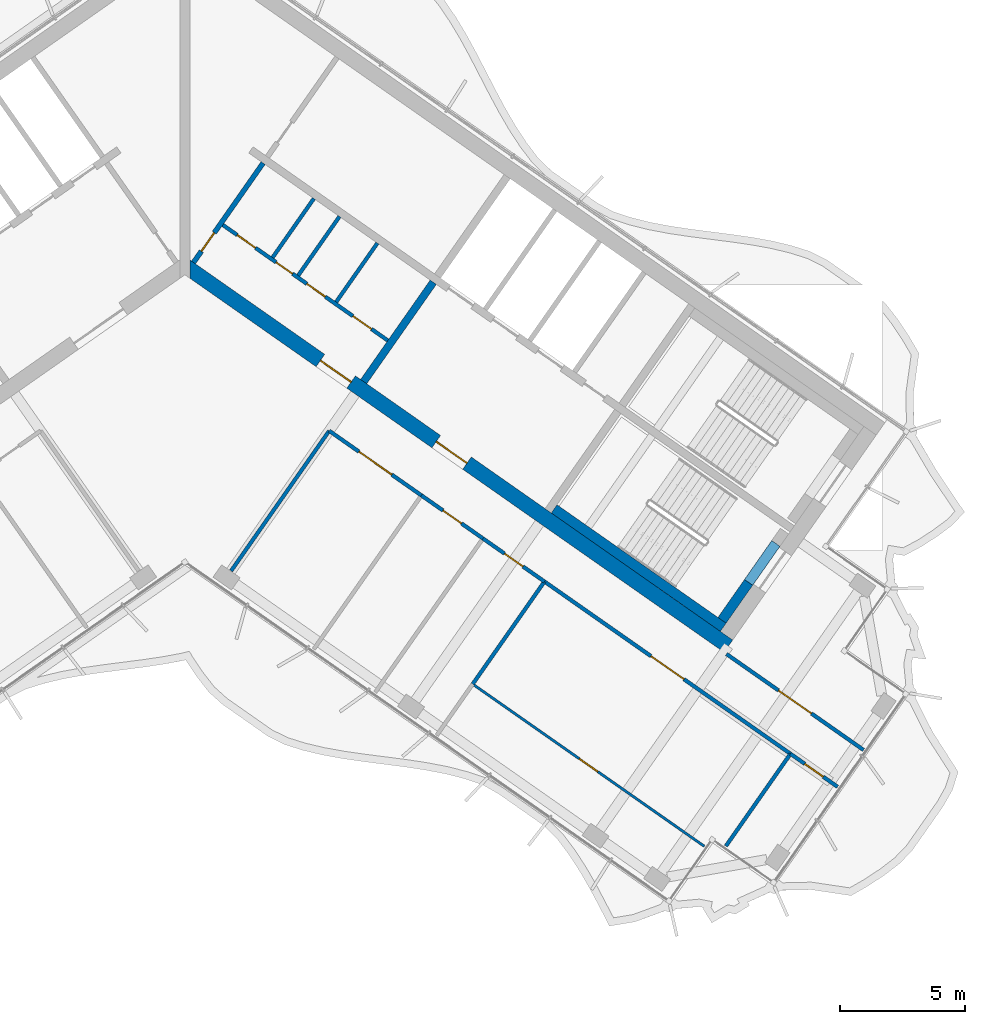
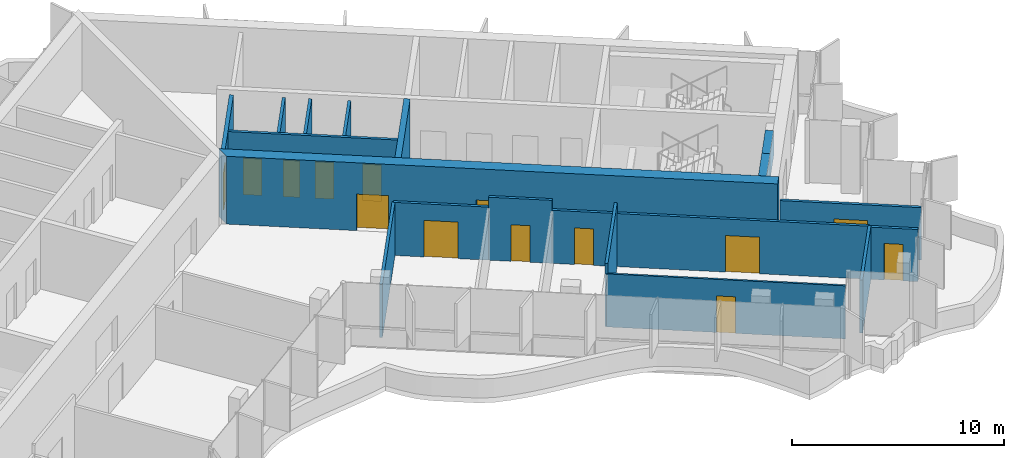
# One storey, part 10 of 17: 20 walls, 14 doors, 14 openings.
"""IFC4 building model written with IfcOpenShell, lengths in metres."""

import ifcopenshell
import ifcopenshell.guid

model = None  # the IFC model being written
_history = None  # IfcOwnerHistory: only IFC2X3 demands one
_inside = {}  # id of a spatial element -> (the spatial element, [elements in it])
_under = {}  # id of a project, library or spatial element -> (it, [spatial elements below it])
_declared = {}  # id of a project -> (the project, [libraries it declares])
_typed = {}  # id of a type object -> (the type object, [elements of that type])
_made_of = {}  # id of a material, layer set ... -> (it, [elements and type objects made of it])


def new_model(schema):
    """Start an empty IFC model of exactly this schema.

    Asked for "IFC4X3", IfcOpenShell would pick the latest addendum, in which some entities
    have other attributes; the version numbers below select the first issue.
    IFC2X3 requires an IfcOwnerHistory on every rooted entity: one is made here for all.
    """
    global model, _history
    if schema == "IFC4X3":
        model = ifcopenshell.file(schema_version=(4, 3, 0, 0))
    else:
        model = ifcopenshell.file(schema=schema)
    _inside.clear()
    _under.clear()
    _declared.clear()
    _typed.clear()
    _made_of.clear()
    _history = None
    if model.schema == "IFC2X3":
        org = make("IfcOrganization", Name="unknown")
        user = make(
            "IfcPersonAndOrganization",
            ThePerson=make("IfcPerson", FamilyName="unknown"),
            TheOrganization=org,
        )
        app = make(
            "IfcApplication",
            ApplicationDeveloper=org,
            Version="unknown",
            ApplicationFullName="unknown",
            ApplicationIdentifier="unknown",
        )
        _history = make(
            "IfcOwnerHistory",
            OwningUser=user,
            OwningApplication=app,
            ChangeAction="ADDED",
            CreationDate=0,
        )
    return model


def make(cls, **values):
    """One entity of the class cls with the attributes given. An attribute that is None is left unset."""
    return model.create_entity(
        cls, **{name: value for name, value in values.items() if value is not None}
    )


def rooted(cls, **values):
    """An entity with a GlobalId (a new one), such as an element, a storey or a relation."""
    return make(cls, GlobalId=ifcopenshell.guid.new(), OwnerHistory=_history, **values)


def si_unit(unit_type, name, prefix=None):
    """IfcSIUnit, for example si_unit("LENGTHUNIT", "METRE", prefix="MILLI")."""
    return make("IfcSIUnit", UnitType=unit_type, Prefix=prefix, Name=name)


def assignment(units):
    """IfcUnitAssignment: the units of a project."""
    return None if units is None else make("IfcUnitAssignment", Units=units)


def point(xyz):
    """IfcCartesianPoint."""
    return None if xyz is None else make("IfcCartesianPoint", Coordinates=xyz)


def direction(xyz):
    """IfcDirection."""
    return None if xyz is None else make("IfcDirection", DirectionRatios=xyz)


def frame(location, z_axis=None, x_axis=None):
    """IfcAxis2Placement3D, a coordinate frame: its origin and axes. An axis left out is left unset."""
    return make(
        "IfcAxis2Placement3D",
        Location=point(location),
        Axis=direction(z_axis),
        RefDirection=direction(x_axis),
    )


def frame_2d(location, x_axis=None):
    """IfcAxis2Placement2D, a coordinate frame in the plane: its origin and x axis."""
    return make(
        "IfcAxis2Placement2D", Location=point(location), RefDirection=direction(x_axis)
    )


def origin():
    """The frame at (0, 0, 0) with its axes left unset."""
    return frame((0.0, 0.0, 0.0))


def place(relative_to, where):
    """IfcLocalPlacement: puts the frame where relative to a parent placement (None: the world)."""
    return make(
        "IfcLocalPlacement", PlacementRelTo=relative_to, RelativePlacement=where
    )


def context(
    kind, dimensions, precision=None, world=None, true_north=None, identifier=None
):
    """IfcGeometricRepresentationContext, for example the 3D "Model" context."""
    return make(
        "IfcGeometricRepresentationContext",
        ContextIdentifier=identifier,
        ContextType=kind,
        CoordinateSpaceDimension=dimensions,
        Precision=precision,
        WorldCoordinateSystem=world,
        TrueNorth=true_north,
    )


def subcontext(parent, identifier, kind, view, scale=None):
    """IfcGeometricRepresentationSubContext, for example "Body" below "Model"."""
    return make(
        "IfcGeometricRepresentationSubContext",
        ContextIdentifier=identifier,
        ContextType=kind,
        ParentContext=parent,
        TargetScale=scale,
        TargetView=view,
    )


def project(units=None, contexts=None):
    """IfcProject with its units and contexts."""
    return rooted(
        "IfcProject",
        Name="project",
        RepresentationContexts=contexts,
        UnitsInContext=assignment(units),
    )


def spatial(cls, under=None, at=None, **own):
    """A site, building, storey or space (cls), placed at a placement, below another one or the project."""
    s = rooted(cls, ObjectPlacement=at, **own)
    if under is not None:
        _under.setdefault(under.id(), (under, []))[1].append(s)
    return s


def polyline(points):
    """IfcPolyline through the points."""
    return make("IfcPolyline", Points=[point(p) for p in points])


def profile(cls, at=None, kind="AREA", **sizes):
    """A parametric profile (cls). Its sizes go by their IFC names, for example OverallWidth=200.0."""
    return make(cls, ProfileType=kind, Position=at, **sizes)


def rectangle(**sizes):
    """IfcRectangleProfileDef."""
    return profile("IfcRectangleProfileDef", **sizes)


def outline(outer, holes=None, kind="AREA"):
    """IfcArbitraryClosedProfileDef: a profile drawn as a closed curve; with holes, ...WithVoids."""
    if holes is None:
        return make("IfcArbitraryClosedProfileDef", ProfileType=kind, OuterCurve=outer)
    return make(
        "IfcArbitraryProfileDefWithVoids",
        ProfileType=kind,
        OuterCurve=outer,
        InnerCurves=holes,
    )


def extrude(swept, where, along, depth):
    """IfcExtrudedAreaSolid: the profile swept, set in the frame where, extruded along a direction by depth."""
    return make(
        "IfcExtrudedAreaSolid",
        SweptArea=swept,
        Position=where,
        ExtrudedDirection=direction(along),
        Depth=depth,
    )


def shape(context_of_items, identifier, shape_type, items):
    """IfcShapeRepresentation: the items that make up one representation, for example the "Body"."""
    return make(
        "IfcShapeRepresentation",
        ContextOfItems=context_of_items,
        RepresentationIdentifier=identifier,
        RepresentationType=shape_type,
        Items=items,
    )


def material(Name=None, Category=None):
    """IfcMaterial."""
    return make("IfcMaterial", Name=Name, Category=Category)


def layer(
    of_material, thickness, ventilated=None, Name=None, Category=None, Priority=None
):
    """IfcMaterialLayer: one layer of a wall or slab, of a material (None: an air gap)."""
    return make(
        "IfcMaterialLayer",
        Material=of_material,
        LayerThickness=thickness,
        IsVentilated=ventilated,
        Name=Name,
        Category=Category,
        Priority=Priority,
    )


def layer_set(layers, Name=None):
    """IfcMaterialLayerSet."""
    return make("IfcMaterialLayerSet", MaterialLayers=layers, LayerSetName=Name)


def made_of(thing, what):
    """Note that an element or type object is made of a material, layer set ...; save() writes the relation."""
    if what is not None:
        _made_of.setdefault(what.id(), (what, []))[1].append(thing)
    return thing


def type_object(cls, material=None, **own):
    """A type object (cls), such as IfcWallType, which elements share."""
    return made_of(rooted(cls, **own), material)


def element(
    cls,
    number,
    at=None,
    inside=None,
    cuts=None,
    type_object=None,
    material=None,
    context=None,
    identifier="Body",
    shape_type=None,
    held_by="IfcProductDefinitionShape",
    body=None,
    shapes=None,
    **own,
):
    """One element of the class cls, such as IfcWall. Its Tag is "e" and its number.

    at: its placement. inside: the storey or other place that contains it. cuts: it is an
    opening in that element (IfcRelVoidsElement). A single representation is given by context,
    identifier, shape_type and body (its items); several are given by shapes. held_by: the class
    of the entity that holds the representations. save() writes the other relations.
    """
    e = rooted(cls, Tag="e%d" % number, ObjectPlacement=at, **own)
    if body is not None:
        shapes = [shape(context, identifier, shape_type, body)]
    if shapes is not None:
        e.Representation = make(held_by, Representations=shapes)
    if inside is not None:
        _inside.setdefault(inside.id(), (inside, []))[1].append(e)
    if cuts is not None:
        rooted(
            "IfcRelVoidsElement", RelatingBuildingElement=cuts, RelatedOpeningElement=e
        )
    if type_object is not None:
        _typed.setdefault(type_object.id(), (type_object, []))[1].append(e)
    return made_of(e, material)


def fill(opening, filler):
    """IfcRelFillsElement: the door or window that sits in an opening."""
    return rooted(
        "IfcRelFillsElement",
        RelatingOpeningElement=opening,
        RelatedBuildingElement=filler,
    )


def aggregate(whole, parts):
    """IfcRelAggregates: a whole, such as a stair, and the parts it consists of."""
    return rooted("IfcRelAggregates", RelatingObject=whole, RelatedObjects=parts)


def save(model, path):
    """Write the relations noted so far, then the file.

    IfcRelAggregates (storeys below a building ...), IfcRelContainedInSpatialStructure (elements
    in a storey), IfcRelDefinesByType, IfcRelAssociatesMaterial and IfcRelDeclares: one each for
    every whole, place, type object, material and project.
    """
    for whole, parts in _under.values():
        aggregate(whole, parts)
    for where, things in _inside.values():
        rooted(
            "IfcRelContainedInSpatialStructure",
            RelatedElements=things,
            RelatingStructure=where,
        )
    for kind, things in _typed.values():
        rooted("IfcRelDefinesByType", RelatedObjects=things, RelatingType=kind)
    for what, things in _made_of.values():
        rooted("IfcRelAssociatesMaterial", RelatedObjects=things, RelatingMaterial=what)
    for by, libraries in _declared.values():
        rooted("IfcRelDeclares", RelatingContext=by, RelatedDefinitions=libraries)
    model.write(path)


model = new_model("IFC4")

# Units and contexts
model_context = context("Model", 3, precision=1e-05, world=origin(), true_north=direction((0.0, 1.0)))
body_context = subcontext(model_context, "Body", "Model", "MODEL_VIEW")
ifc_project = project(units=[si_unit("LENGTHUNIT", "METRE"), si_unit("AREAUNIT", "SQUARE_METRE"), si_unit("VOLUMEUNIT", "CUBIC_METRE"), si_unit("PLANEANGLEUNIT", "RADIAN"), si_unit("MASSUNIT", "GRAM", prefix="KILO")], contexts=[model_context])

# Site, building, storey
site_placement = place(None, origin())
site = spatial("IfcSite", under=ifc_project, at=site_placement, CompositionType="ELEMENT")
building_placement = place(site_placement, origin())
building = spatial("IfcBuilding", under=site, at=building_placement, Name="Tel Ilan Convention Tower", CompositionType="ELEMENT")
storey_placement = place(building_placement, frame((0.0, 0.0, 280.0)))
storey = spatial("IfcBuildingStorey", under=building, at=storey_placement, Name="L66", CompositionType="ELEMENT", Elevation=280.0)

# Wall, openings, doors
ifc_material_1 = material(Name="Gypsum Plasterboard on Steel Stud", Category="steel")
ifc_layer_1 = layer(ifc_material_1, 0.14990234375)
ifc_layer_set_1 = layer_set([ifc_layer_1], Name="Core Room Partition Wall 150 mm EI 60")
wall_type_1 = type_object("IfcWallType", Name="Core Room Partition Wall 150 mm EI 60", PredefinedType="PARTITIONING", material=ifc_layer_set_1)
wall_1_placement = place(storey_placement, frame((1.515625, 0.77001953125, 0.0), z_axis=(0.0, 0.0, 1.0), x_axis=(0.819146424436, -0.573584462249, 0.0)))
wall_1 = element("IfcWall", 1, at=wall_1_placement, inside=storey, type_object=wall_type_1, Name="L66 core wall wc-h1", PredefinedType="PARTITIONING", context=body_context, shape_type="SweptSolid", body=[
    extrude(rectangle(XDim=8.050048828125, YDim=0.14990234375, at=frame_2d((4.02490234375, 0.0))), origin(), (0.0, 0.0, 1.0), 3.6201171875),
])
opening_1_placement = place(wall_1_placement, frame((0.699951171875, 0.0, 0.0)))
opening_1 = element("IfcOpeningElement", 2, at=opening_1_placement, cuts=wall_1, Name="Opening CD5013", PredefinedType="OPENING", context=body_context, shape_type="SweptSolid", body=[
    extrude(rectangle(XDim=0.89990234375, YDim=2.10009765625, at=frame_2d((0.449951171875, 1.050048828125))), frame((0.0, 0.0849609375, 0.0), z_axis=(0.0, -1.0, 0.0), x_axis=(1.0, 0.0, 0.0)), (0.0, 0.0, 1.0), 0.169921875),
])
opening_2_placement = place(wall_1_placement, frame((2.60009765625, 0.0, 0.0)))
opening_2 = element("IfcOpeningElement", 3, at=opening_2_placement, cuts=wall_1, Name="Opening CD5012", PredefinedType="OPENING", context=body_context, shape_type="SweptSolid", body=[
    extrude(rectangle(XDim=0.800048828125, YDim=2.10009765625, at=frame_2d((0.39990234375, 1.050048828125))), frame((0.0, 0.0849609375, 0.0), z_axis=(0.0, -1.0, 0.0), x_axis=(1.0, 0.0, 0.0)), (0.0, 0.0, 1.0), 0.169921875),
])
opening_3_placement = place(wall_1_placement, frame((4.10009765625, 0.0, 0.0)))
opening_3 = element("IfcOpeningElement", 4, at=opening_3_placement, cuts=wall_1, Name="Opening CD5011", PredefinedType="OPENING", context=body_context, shape_type="SweptSolid", body=[
    extrude(rectangle(XDim=0.89990234375, YDim=2.10009765625, at=frame_2d((0.449951171875, 1.050048828125))), frame((0.0, 0.0849609375, 0.0), z_axis=(0.0, -1.0, 0.0), x_axis=(1.0, 0.0, 0.0)), (0.0, 0.0, 1.0), 0.169921875),
])
opening_4_placement = place(wall_1_placement, frame((6.35009765625, 0.0, 0.0)))
opening_4 = element("IfcOpeningElement", 5, at=opening_4_placement, cuts=wall_1, Name="Opening CD5014", PredefinedType="OPENING", context=body_context, shape_type="SweptSolid", body=[
    extrude(rectangle(XDim=0.89990234375, YDim=2.10009765625, at=frame_2d((0.449951171875, 1.050048828125))), frame((0.0, 0.0849609375, 0.0), z_axis=(0.0, -1.0, 0.0), x_axis=(1.0, 0.0, 0.0)), (0.0, 0.0, 1.0), 0.169921875),
])
ifc_material_2 = material(Name="Galvanised Steel Door Leaf", Category="steel")
door_type_1 = type_object("IfcDoorType", Name="Store Door 800 x 2100 FD60", OperationType="NOTDEFINED", PredefinedType="DOOR", material=ifc_material_2)
door_1_placement = place(opening_2_placement, origin())
door_1 = element("IfcDoor", 6, at=door_1_placement, inside=storey, type_object=door_type_1, Name="Cleaner's store door", OperationType="SINGLE_SWING_RIGHT", OverallHeight=2.10009765625, OverallWidth=0.800048828125, PredefinedType="DOOR", context=body_context, shape_type="SweptSolid", body=[
    extrude(rectangle(XDim=0.800048828125, YDim=2.10009765625, at=frame_2d((0.39990234375, 1.050048828125))), frame((0.0, 0.02490234375, 0.0), z_axis=(0.0, -1.0, 0.0), x_axis=(1.0, 0.0, 0.0)), (0.0, 0.0, 1.0), 0.050048828125),
])
fill(opening_2, door_1)
ifc_material_3 = material(Name="Laminated Timber Door Leaf", Category="wood")
door_type_2 = type_object("IfcDoorType", Name="Toilet Door 900 x 2100 FD30S", OperationType="NOTDEFINED", PredefinedType="DOOR", material=ifc_material_3)
door_2_placement = place(opening_1_placement, origin())
door_2 = element("IfcDoor", 7, at=door_2_placement, inside=storey, type_object=door_type_2, Name="Men's WC door", OperationType="SINGLE_SWING_RIGHT", OverallHeight=2.10009765625, OverallWidth=0.89990234375, PredefinedType="DOOR", context=body_context, shape_type="SweptSolid", body=[
    extrude(rectangle(XDim=0.89990234375, YDim=2.10009765625, at=frame_2d((0.449951171875, 1.050048828125))), frame((0.0, 0.02490234375, 0.0), z_axis=(0.0, -1.0, 0.0), x_axis=(1.0, 0.0, 0.0)), (0.0, 0.0, 1.0), 0.050048828125),
])
fill(opening_1, door_2)
door_3_placement = place(opening_3_placement, origin())
door_3 = element("IfcDoor", 8, at=door_3_placement, inside=storey, type_object=door_type_2, Name="Accessible WC door", OperationType="SINGLE_SWING_RIGHT", OverallHeight=2.10009765625, OverallWidth=0.89990234375, PredefinedType="DOOR", context=body_context, shape_type="SweptSolid", body=[
    extrude(rectangle(XDim=0.89990234375, YDim=2.10009765625, at=frame_2d((0.449951171875, 1.050048828125))), frame((0.0, 0.02490234375, 0.0), z_axis=(0.0, -1.0, 0.0), x_axis=(1.0, 0.0, 0.0)), (0.0, 0.0, 1.0), 0.050048828125),
])
fill(opening_3, door_3)
door_4_placement = place(opening_4_placement, origin())
door_4 = element("IfcDoor", 9, at=door_4_placement, inside=storey, type_object=door_type_2, Name="Women's WC door", OperationType="SINGLE_SWING_RIGHT", OverallHeight=2.10009765625, OverallWidth=0.89990234375, PredefinedType="DOOR", context=body_context, shape_type="SweptSolid", body=[
    extrude(rectangle(XDim=0.89990234375, YDim=2.10009765625, at=frame_2d((0.449951171875, 1.050048828125))), frame((0.0, 0.02490234375, 0.0), z_axis=(0.0, -1.0, 0.0), x_axis=(1.0, 0.0, 0.0)), (0.0, 0.0, 1.0), 0.050048828125),
])
fill(opening_4, door_4)

# Walls
wall_2_placement = place(storey_placement, frame((3.504150390625, -0.531005859375, 0.0), z_axis=(0.0, 0.0, 1.0), x_axis=(0.573582013179, 0.819148139324, 0.0)))
element("IfcWall", 10, at=wall_2_placement, inside=storey, type_object=wall_type_1, Name="L66 core wall wc-v0", PredefinedType="PARTITIONING", context=body_context, shape_type="SweptSolid", body=[
    extrude(rectangle(XDim=2.875244140625, YDim=0.14990234375, at=frame_2d((1.4375, 0.0))), origin(), (0.0, 0.0, 1.0), 3.6201171875),
])
wall_3_placement = place(storey_placement, frame((4.528076171875, -1.247802734375, 0.0), z_axis=(0.0, 0.0, 1.0), x_axis=(0.573621911162, 0.819120200602, 0.0)))
element("IfcWall", 11, at=wall_3_placement, inside=storey, type_object=wall_type_1, Name="L66 core wall wc-v1", PredefinedType="PARTITIONING", context=body_context, shape_type="SweptSolid", body=[
    extrude(rectangle(XDim=2.875, YDim=0.14990234375, at=frame_2d((1.4375, 0.0))), origin(), (0.0, 0.0, 1.0), 3.6201171875),
])
wall_4_placement = place(storey_placement, frame((6.043701171875, -2.30908203125, 0.0), z_axis=(0.0, 0.0, 1.0), x_axis=(0.573564930514, 0.819160100642, 0.0)))
element("IfcWall", 12, at=wall_4_placement, inside=storey, type_object=wall_type_1, Name="L66 core wall wc-v2", PredefinedType="PARTITIONING", context=body_context, shape_type="SweptSolid", body=[
    extrude(rectangle(XDim=2.874755859375, YDim=0.14990234375, at=frame_2d((1.4375, 0.0))), origin(), (0.0, 0.0, 1.0), 3.6201171875),
])

# Wall, opening, door
ifc_material_4 = material(Name="Concrete C30/37", Category="concrete")
ifc_layer_2 = layer(ifc_material_4, 0.199951171875)
ifc_layer_set_2 = layer_set([ifc_layer_2], Name="Core Service Room Wall 200 mm C30/37")
wall_type_2 = type_object("IfcWallType", Name="Core Service Room Wall 200 mm C30/37", PredefinedType="SOLIDWALL", material=ifc_layer_set_2)
wall_5_placement = place(storey_placement, frame((0.343994140625, -0.729248046875, 0.0), z_axis=(0.0, 0.0, 1.0), x_axis=(0.573560315113, 0.819163332265, 0.0)))
wall_5 = element("IfcWall", 13, at=wall_5_placement, inside=storey, type_object=wall_type_2, Name="L66 core wall apex-E", PredefinedType="SOLIDWALL", context=body_context, shape_type="SweptSolid", body=[
    extrude(rectangle(XDim=4.849853515625, YDim=0.199951171875, at=frame_2d((2.4248046875, 0.0))), origin(), (0.0, 0.0, 1.0), 3.6201171875),
])
opening_5_placement = place(wall_5_placement, frame((0.550048828125, 0.0, 0.0)))
opening_5 = element("IfcOpeningElement", 14, at=opening_5_placement, cuts=wall_5, Name="Opening CD5001", PredefinedType="OPENING", context=body_context, shape_type="SweptSolid", body=[
    extrude(rectangle(XDim=0.89990234375, YDim=2.10009765625, at=frame_2d((0.449951171875, 1.050048828125))), frame((0.0, 0.10986328125, 0.0), z_axis=(0.0, -1.0, 0.0), x_axis=(1.0, 0.0, 0.0)), (0.0, 0.0, 1.0), 0.219970703125),
])
ifc_material_5 = material(Name="Galvanised Steel Door Leaf", Category="steel")
door_type_3 = type_object("IfcDoorType", Name="Service Room Door 900 x 2100 FD60", OperationType="NOTDEFINED", PredefinedType="DOOR", material=ifc_material_5)
door_5_placement = place(opening_5_placement, origin())
door_5 = element("IfcDoor", 15, at=door_5_placement, inside=storey, type_object=door_type_3, Name="Electrical Room door", OperationType="SINGLE_SWING_RIGHT", OverallHeight=2.10009765625, OverallWidth=0.89990234375, PredefinedType="DOOR", context=body_context, shape_type="SweptSolid", body=[
    extrude(rectangle(XDim=0.89990234375, YDim=2.10009765625, at=frame_2d((0.449951171875, 1.050048828125))), frame((0.0, 0.02490234375, 0.0), z_axis=(0.0, -1.0, 0.0), x_axis=(1.0, 0.0, 0.0)), (0.0, 0.0, 1.0), 0.050048828125),
])
fill(opening_5, door_5)

# Wall
ifc_material_6 = material(Name="Concrete C40/50", Category="concrete")
ifc_layer_3 = layer(ifc_material_6, 0.300048828125)
ifc_layer_set_3 = layer_set([ifc_layer_3], Name="Core Shear Wall 300 mm C40/50")
wall_type_3 = type_object("IfcWallType", Name="Core Shear Wall 300 mm C40/50", PredefinedType="SHEAR", material=ifc_layer_set_3)
wall_6_placement = place(storey_placement, frame((7.142822265625, -5.48974609375, 0.0), z_axis=(0.0, 0.0, 1.0), x_axis=(0.573617744349, 0.819123118565, 0.0)))
element("IfcWall", 16, at=wall_6_placement, inside=storey, type_object=wall_type_3, Name="L66 core wall E-cross1-1", PredefinedType="SHEAR", context=body_context, shape_type="SweptSolid", body=[
    extrude(outline(polyline([(0.0, 0.14990234375), (0.0, -0.150146484375), (4.85009765625, -0.14990234375), (4.85009765625, 0.150146484375), (0.0, 0.14990234375)])), origin(), (0.0, 0.0, 1.0), 3.89990234375),
])

# Wall, openings, doors
ifc_material_7 = material(Name="Concrete C40/50", Category="concrete")
ifc_layer_4 = layer(ifc_material_7, 0.60009765625)
ifc_layer_set_4 = layer_set([ifc_layer_4], Name="Core Shear Wall 600 mm C40/50")
wall_type_4 = type_object("IfcWallType", Name="Core Shear Wall 600 mm C40/50", PredefinedType="SHEAR", material=ifc_layer_set_4)
wall_7_placement = place(storey_placement, frame((0.02783203125, -0.8740234375, 0.0), z_axis=(0.0, 0.0, 1.0), x_axis=(0.819150035022, -0.573579305871, 0.0)))
wall_7 = element("IfcWall", 17, at=wall_7_placement, inside=storey, type_object=wall_type_4, Name="L66 core wall E-front", PredefinedType="SHEAR", context=body_context, shape_type="SweptSolid", body=[
    extrude(outline(polyline([(26.475830078125, 0.300048828125), (0.000244140625, 0.300048828125), (0.420166015625, -0.300048828125), (26.475830078125, -0.2998046875), (26.475830078125, 0.300048828125)])), origin(), (0.0, 0.0, 1.0), 3.89990234375),
])
opening_6_placement = place(wall_7_placement, frame((6.57568359375, 0.0, 0.0)))
opening_6 = element("IfcOpeningElement", 18, at=opening_6_placement, cuts=wall_7, Name="Opening CD5004", PredefinedType="OPENING", context=body_context, shape_type="SweptSolid", body=[
    extrude(rectangle(XDim=1.5, YDim=2.10009765625, at=frame_2d((0.75, 1.050048828125))), frame((0.0, 0.31005859375, 0.0), z_axis=(0.0, -1.0, 0.0), x_axis=(1.0, 0.0, 0.0)), (0.0, 0.0, 1.0), 0.6201171875),
])
opening_7_placement = place(wall_7_placement, frame((12.225830078125, 0.0, 0.0)))
opening_7 = element("IfcOpeningElement", 19, at=opening_7_placement, cuts=wall_7, Name="Opening CD5005", PredefinedType="OPENING", context=body_context, shape_type="SweptSolid", body=[
    extrude(rectangle(XDim=1.5, YDim=2.10009765625, at=frame_2d((0.75, 1.050048828125))), frame((0.0, 0.31005859375, 0.0), z_axis=(0.0, -1.0, 0.0), x_axis=(1.0, 0.0, 0.0)), (0.0, 0.0, 1.0), 0.6201171875),
])
ifc_material_8 = material(Name="Glazed Aluminium Door Leaf", Category="aluminium")
door_type_4 = type_object("IfcDoorType", Name="Lobby Opening Door 1500 x 2100 FD60S", OperationType="NOTDEFINED", PredefinedType="DOOR", material=ifc_material_8)
door_6_placement = place(opening_7_placement, origin())
door_6 = element("IfcDoor", 20, at=door_6_placement, inside=storey, type_object=door_type_4, Name="Firefighting Lobby door", OperationType="DOUBLE_DOOR_SINGLE_SWING", OverallHeight=2.10009765625, OverallWidth=1.5, PredefinedType="DOOR", context=body_context, shape_type="SweptSolid", body=[
    extrude(rectangle(XDim=1.5, YDim=2.10009765625, at=frame_2d((0.75, 1.050048828125))), frame((0.0, 0.02490234375, 0.0), z_axis=(0.0, -1.0, 0.0), x_axis=(1.0, 0.0, 0.0)), (0.0, 0.0, 1.0), 0.050048828125),
])
fill(opening_7, door_6)
ifc_material_9 = material(Name="Laminated Timber Door Leaf", Category="wood")
door_type_5 = type_object("IfcDoorType", Name="Toilet Door 1500 x 2100 FD30S", OperationType="NOTDEFINED", PredefinedType="DOOR", material=ifc_material_9)
door_7_placement = place(opening_6_placement, origin())
door_7 = element("IfcDoor", 21, at=door_7_placement, inside=storey, type_object=door_type_5, Name="WC Lobby door", OperationType="SINGLE_SWING_RIGHT", OverallHeight=2.10009765625, OverallWidth=1.5, PredefinedType="DOOR", context=body_context, shape_type="SweptSolid", body=[
    extrude(rectangle(XDim=1.5, YDim=2.10009765625, at=frame_2d((0.75, 1.050048828125))), frame((0.0, 0.02490234375, 0.0), z_axis=(0.0, -1.0, 0.0), x_axis=(1.0, 0.0, 0.0)), (0.0, 0.0, 1.0), 0.050048828125),
])
fill(opening_6, door_7)

# Wall, opening, door
ifc_material_10 = material(Name="Plasterboard on Steel Studs", Category="steel")
ifc_layer_5 = layer(ifc_material_10, 0.14990234375)
ifc_layer_set_5 = layer_set([ifc_layer_5], Name="Fire-rated Partition 150 EI 60")
wall_type_5 = type_object("IfcWallType", Name="Fire-rated Partition 150 EI 60", PredefinedType="PARTITIONING", material=ifc_layer_set_5)
wall_8_placement = place(storey_placement, frame((21.641845703125, -16.37451171875, 0.0), z_axis=(0.0, 0.0, 1.0), x_axis=(0.819147777977, -0.573582529227, 0.0)))
wall_8 = element("IfcWall", 22, at=wall_8_placement, inside=storey, type_object=wall_type_5, Name="Partition 001", PredefinedType="PARTITIONING", context=body_context, shape_type="SweptSolid", body=[
    extrude(rectangle(XDim=6.679931640625, YDim=0.14990234375, at=frame_2d((3.33984375, 0.0))), origin(), (0.0, 0.0, 1.0), 3.0),
])
opening_8_placement = place(wall_8_placement, frame((2.5400390625, 0.0, 0.0)))
opening_8 = element("IfcOpeningElement", 23, at=opening_8_placement, cuts=wall_8, Name="Opening L65-015", PredefinedType="OPENING", context=body_context, shape_type="SweptSolid", body=[
    extrude(rectangle(XDim=1.60009765625, YDim=2.10009765625, at=frame_2d((0.800048828125, 1.050048828125))), frame((0.0, 0.0849609375, 0.0), z_axis=(0.0, -1.0, 0.0), x_axis=(1.0, 0.0, 0.0)), (0.0, 0.0, 1.0), 0.169921875),
])
ifc_material_11 = material(Name="Timber Door Leaf in Steel Frame", Category="steel")
door_type_6 = type_object("IfcDoorType", Name="Tenant Suite Entrance Fire Door 1600x2100", OperationType="NOTDEFINED", PredefinedType="DOOR", material=ifc_material_11)
door_8_placement = place(opening_8_placement, origin())
door_8 = element("IfcDoor", 24, at=door_8_placement, inside=storey, type_object=door_type_6, Name="Door L65-015", OperationType="DOUBLE_DOOR_SINGLE_SWING", OverallHeight=2.10009765625, OverallWidth=1.60009765625, PredefinedType="DOOR", context=body_context, shape_type="SweptSolid", body=[
    extrude(rectangle(XDim=1.60009765625, YDim=2.10009765625, at=frame_2d((0.800048828125, 1.050048828125))), frame((0.0, 0.02490234375, 0.0), z_axis=(0.0, -1.0, 0.0), x_axis=(1.0, 0.0, 0.0)), (0.0, 0.0, 1.0), 0.050048828125),
])
fill(opening_8, door_8)

wall_9_placement = place(storey_placement, frame((9.4541015625, -10.0380859375, 0.0), z_axis=(0.0, 0.0, 1.0), x_axis=(-0.819142740634, 0.573589723117, 0.0)))
wall_9 = element("IfcWall", 25, at=wall_9_placement, inside=storey, type_object=wall_type_5, Name="Partition 002", PredefinedType="PARTITIONING", context=body_context, shape_type="SweptSolid", body=[
    extrude(rectangle(XDim=4.501953125, YDim=0.14990234375, at=frame_2d((2.2509765625, 0.0))), origin(), (0.0, 0.0, 1.0), 3.050048828125),
])
opening_9_placement = place(wall_9_placement, frame((1.450927734375, 0.0, 0.0)))
opening_9 = element("IfcOpeningElement", 26, at=opening_9_placement, cuts=wall_9, Name="Opening L65-009", PredefinedType="OPENING", context=body_context, shape_type="SweptSolid", body=[
    extrude(rectangle(XDim=1.60009765625, YDim=2.10009765625, at=frame_2d((0.800048828125, 1.050048828125))), frame((0.0, 0.0849609375, 0.0), z_axis=(0.0, -1.0, 0.0), x_axis=(1.0, 0.0, 0.0)), (0.0, 0.0, 1.0), 0.169921875),
])
door_9_placement = place(opening_9_placement, origin())
door_9 = element("IfcDoor", 27, at=door_9_placement, inside=storey, type_object=door_type_6, Name="Door L65-009", OperationType="DOUBLE_DOOR_SINGLE_SWING", OverallHeight=2.10009765625, OverallWidth=1.60009765625, PredefinedType="DOOR", context=body_context, shape_type="SweptSolid", body=[
    extrude(rectangle(XDim=1.60009765625, YDim=2.10009765625, at=frame_2d((0.800048828125, 1.050048828125))), frame((0.0, 0.02490234375, 0.0), z_axis=(0.0, -1.0, 0.0), x_axis=(1.0, 0.0, 0.0)), (0.0, 0.0, 1.0), 0.050048828125),
])
fill(opening_9, door_9)

wall_10_placement = place(storey_placement, frame((11.91162109375, -11.7587890625, 0.0), z_axis=(0.0, 0.0, 1.0), x_axis=(-0.81916700466, 0.573555070134, 0.0)))
wall_10 = element("IfcWall", 28, at=wall_10_placement, inside=storey, type_object=wall_type_5, Name="Partition 003", PredefinedType="PARTITIONING", context=body_context, shape_type="SweptSolid", body=[
    extrude(rectangle(XDim=3.00390625, YDim=0.14990234375, at=frame_2d((1.501953125, 0.0))), origin(), (0.0, 0.0, 1.0), 3.6201171875),
])
opening_10_placement = place(wall_10_placement, frame((1.052001953125, 0.0, 0.0)))
opening_10 = element("IfcOpeningElement", 29, at=opening_10_placement, cuts=wall_10, Name="Opening L65-010", PredefinedType="OPENING", context=body_context, shape_type="SweptSolid", body=[
    extrude(rectangle(XDim=0.89990234375, YDim=2.10009765625, at=frame_2d((0.449951171875, 1.050048828125))), frame((0.0, 0.0849609375, 0.0), z_axis=(0.0, -1.0, 0.0), x_axis=(1.0, 0.0, 0.0)), (0.0, 0.0, 1.0), 0.169921875),
])
ifc_material_12 = material(Name="Timber Door Leaf in Steel Frame", Category="steel")
door_type_7 = type_object("IfcDoorType", Name="Room Fire Door 900x2100", OperationType="NOTDEFINED", PredefinedType="DOOR", material=ifc_material_12)
door_10_placement = place(opening_10_placement, origin())
door_10 = element("IfcDoor", 30, at=door_10_placement, inside=storey, type_object=door_type_7, Name="Door L65-010", OperationType="SINGLE_SWING_LEFT", OverallHeight=2.10009765625, OverallWidth=0.89990234375, PredefinedType="DOOR", context=body_context, shape_type="SweptSolid", body=[
    extrude(rectangle(XDim=0.89990234375, YDim=2.10009765625, at=frame_2d((0.449951171875, 1.050048828125))), frame((0.0, 0.02490234375, 0.0), z_axis=(0.0, -1.0, 0.0), x_axis=(1.0, 0.0, 0.0)), (0.0, 0.0, 1.0), 0.050048828125),
])
fill(opening_10, door_10)

wall_11_placement = place(storey_placement, frame((14.369140625, -13.4794921875, 0.0), z_axis=(0.0, 0.0, 1.0), x_axis=(-0.81916700466, 0.573555070134, 0.0)))
wall_11 = element("IfcWall", 31, at=wall_11_placement, inside=storey, type_object=wall_type_5, Name="Partition 004", PredefinedType="PARTITIONING", context=body_context, shape_type="SweptSolid", body=[
    extrude(rectangle(XDim=3.00390625, YDim=0.14990234375, at=frame_2d((1.501953125, 0.0))), origin(), (0.0, 0.0, 1.0), 3.050048828125),
])
opening_11_placement = place(wall_11_placement, frame((1.052001953125, 0.0, 0.0)))
opening_11 = element("IfcOpeningElement", 32, at=opening_11_placement, cuts=wall_11, Name="Opening L65-011", PredefinedType="OPENING", context=body_context, shape_type="SweptSolid", body=[
    extrude(rectangle(XDim=0.89990234375, YDim=2.10009765625, at=frame_2d((0.449951171875, 1.050048828125))), frame((0.0, 0.0849609375, 0.0), z_axis=(0.0, -1.0, 0.0), x_axis=(1.0, 0.0, 0.0)), (0.0, 0.0, 1.0), 0.169921875),
])
door_11_placement = place(opening_11_placement, origin())
door_11 = element("IfcDoor", 33, at=door_11_placement, inside=storey, type_object=door_type_7, Name="Door L65-011", OperationType="SINGLE_SWING_RIGHT", OverallHeight=2.10009765625, OverallWidth=0.89990234375, PredefinedType="DOOR", context=body_context, shape_type="SweptSolid", body=[
    extrude(rectangle(XDim=0.89990234375, YDim=2.10009765625, at=frame_2d((0.449951171875, 1.050048828125))), frame((0.0, 0.02490234375, 0.0), z_axis=(0.0, -1.0, 0.0), x_axis=(1.0, 0.0, 0.0)), (0.0, 0.0, 1.0), 0.050048828125),
])
fill(opening_11, door_11)

wall_12_placement = place(storey_placement, frame((24.198974609375, -20.3623046875, 0.0), z_axis=(0.0, 0.0, 1.0), x_axis=(-0.819164075089, 0.573559254204, 0.0)))
wall_12 = element("IfcWall", 34, at=wall_12_placement, inside=storey, type_object=wall_type_5, Name="Partition 005", PredefinedType="PARTITIONING", context=body_context, shape_type="SweptSolid", body=[
    extrude(rectangle(XDim=12.00390625, YDim=0.14990234375, at=frame_2d((6.001953125, 0.0))), origin(), (0.0, 0.0, 1.0), 3.050048828125),
])
opening_12_placement = place(wall_12_placement, frame((5.201904296875, 0.0, 0.0)))
opening_12 = element("IfcOpeningElement", 35, at=opening_12_placement, cuts=wall_12, Name="Opening L65-012", PredefinedType="OPENING", context=body_context, shape_type="SweptSolid", body=[
    extrude(rectangle(XDim=1.60009765625, YDim=2.10009765625, at=frame_2d((0.800048828125, 1.050048828125))), frame((0.0, 0.0849609375, 0.0), z_axis=(0.0, -1.0, 0.0), x_axis=(1.0, 0.0, 0.0)), (0.0, 0.0, 1.0), 0.169921875),
])
door_12_placement = place(opening_12_placement, origin())
door_12 = element("IfcDoor", 36, at=door_12_placement, inside=storey, type_object=door_type_6, Name="Door L65-012", OperationType="DOUBLE_DOOR_SINGLE_SWING", OverallHeight=2.10009765625, OverallWidth=1.60009765625, PredefinedType="DOOR", context=body_context, shape_type="SweptSolid", body=[
    extrude(rectangle(XDim=1.60009765625, YDim=2.10009765625, at=frame_2d((0.800048828125, 1.050048828125))), frame((0.0, 0.02490234375, 0.0), z_axis=(0.0, -1.0, 0.0), x_axis=(1.0, 0.0, 0.0)), (0.0, 0.0, 1.0), 0.050048828125),
])
fill(opening_12, door_12)

wall_13_placement = place(storey_placement, frame((26.081298828125, -21.680419921875, 0.0), z_axis=(0.0, 0.0, 1.0), x_axis=(-0.819172126429, 0.573547755014, 0.0)))
wall_13 = element("IfcWall", 37, at=wall_13_placement, inside=storey, type_object=wall_type_5, Name="Partition 006", PredefinedType="PARTITIONING", context=body_context, shape_type="SweptSolid", body=[
    extrude(rectangle(XDim=2.302001953125, YDim=0.14990234375, at=frame_2d((1.15087890625, 0.0))), origin(), (0.0, 0.0, 1.0), 3.0),
])
opening_13_placement = place(wall_13_placement, frame((0.700927734375, 0.0, 0.0)))
opening_13 = element("IfcOpeningElement", 38, at=opening_13_placement, cuts=wall_13, Name="Opening L65-014", PredefinedType="OPENING", context=body_context, shape_type="SweptSolid", body=[
    extrude(rectangle(XDim=0.89990234375, YDim=2.10009765625, at=frame_2d((0.449951171875, 1.050048828125))), frame((0.0, 0.0849609375, 0.0), z_axis=(0.0, -1.0, 0.0), x_axis=(1.0, 0.0, 0.0)), (0.0, 0.0, 1.0), 0.169921875),
])
door_13_placement = place(opening_13_placement, origin())
door_13 = element("IfcDoor", 39, at=door_13_placement, inside=storey, type_object=door_type_7, Name="Door L65-014", OperationType="SINGLE_SWING_RIGHT", OverallHeight=2.10009765625, OverallWidth=0.89990234375, PredefinedType="DOOR", context=body_context, shape_type="SweptSolid", body=[
    extrude(rectangle(XDim=0.89990234375, YDim=2.10009765625, at=frame_2d((0.449951171875, 1.050048828125))), frame((0.0, 0.02490234375, 0.0), z_axis=(0.0, -1.0, 0.0), x_axis=(1.0, 0.0, 0.0)), (0.0, 0.0, 1.0), 0.050048828125),
])
fill(opening_13, door_13)

# Walls
wall_14_placement = place(storey_placement, frame((1.848876953125, -13.050537109375, 0.0), z_axis=(0.0, 0.0, 1.0), x_axis=(0.573577493031, 0.819151304393, 0.0)))
element("IfcWall", 40, at=wall_14_placement, inside=storey, type_object=wall_type_5, Name="Partition 015", PredefinedType="PARTITIONING", context=body_context, shape_type="SweptSolid", body=[
    extrude(rectangle(XDim=6.829833984375, YDim=0.14990234375, at=frame_2d((3.4150390625, 0.0))), origin(), (0.0, 0.0, 1.0), 3.050048828125),
])
wall_15_placement = place(storey_placement, frame((14.367431640625, -13.478515625, 0.0), z_axis=(0.0, 0.0, 1.0), x_axis=(-0.573613022702, -0.819126425033, 0.0)))
element("IfcWall", 41, at=wall_15_placement, inside=storey, type_object=wall_type_5, Name="Partition 018", PredefinedType="PARTITIONING", context=body_context, shape_type="SweptSolid", body=[
    extrude(rectangle(XDim=5.001953125, YDim=0.14990234375, at=frame_2d((2.5009765625, 0.0))), origin(), (0.0, 0.0, 1.0), 3.6201171875),
])
wall_16_placement = place(storey_placement, frame((24.197265625, -20.361328125, 0.0), z_axis=(0.0, 0.0, 1.0), x_axis=(-0.573560650686, -0.819163097304, 0.0)))
element("IfcWall", 42, at=wall_16_placement, inside=storey, type_object=wall_type_5, Name="Partition 020", PredefinedType="PARTITIONING", context=body_context, shape_type="SweptSolid", body=[
    extrude(rectangle(XDim=4.5, YDim=0.14990234375, at=frame_2d((2.25, 0.0))), origin(), (0.0, 0.0, 1.0), 3.050048828125),
])

# Wall, opening, door
ifc_material_13 = material(Name="Plasterboard on Steel Studs", Category="steel")
ifc_layer_6 = layer(ifc_material_13, 0.10009765625)
ifc_layer_set_6 = layer_set([ifc_layer_6], Name="Plasterboard Partition 100")
wall_type_6 = type_object("IfcWallType", Name="Plasterboard Partition 100", PredefinedType="PARTITIONING", material=ifc_layer_set_6)
wall_17_placement = place(storey_placement, frame((20.75537109375, -24.056396484375, 0.0), z_axis=(0.0, 0.0, 1.0), x_axis=(-0.819148680192, 0.573581240749, 0.0)))
wall_17 = element("IfcWall", 43, at=wall_17_placement, inside=storey, type_object=wall_type_6, Name="Partition 019", PredefinedType="PARTITIONING", context=body_context, shape_type="SweptSolid", body=[
    extrude(rectangle(XDim=11.300048828125, YDim=0.10009765625, at=frame_2d((5.64990234375, 0.0))), origin(), (0.0, 0.0, 1.0), 3.050048828125),
])
opening_14_placement = place(wall_17_placement, frame((5.199951171875, 0.0, 0.0)))
opening_14 = element("IfcOpeningElement", 44, at=opening_14_placement, cuts=wall_17, Name="Opening L65-013", PredefinedType="OPENING", context=body_context, shape_type="SweptSolid", body=[
    extrude(rectangle(XDim=0.89990234375, YDim=2.10009765625, at=frame_2d((0.449951171875, 1.050048828125))), frame((0.0, 0.06005859375, 0.0), z_axis=(0.0, -1.0, 0.0), x_axis=(1.0, 0.0, 0.0)), (0.0, 0.0, 1.0), 0.1201171875),
])
ifc_material_14 = material(Name="Timber Door Leaf in Steel Frame", Category="steel")
door_type_8 = type_object("IfcDoorType", Name="Room Timber Door 900x2100", OperationType="NOTDEFINED", PredefinedType="DOOR", material=ifc_material_14)
door_14_placement = place(opening_14_placement, origin())
door_14 = element("IfcDoor", 45, at=door_14_placement, inside=storey, type_object=door_type_8, Name="Door L65-013", OperationType="SINGLE_SWING_RIGHT", OverallHeight=2.10009765625, OverallWidth=0.89990234375, PredefinedType="DOOR", context=body_context, shape_type="SweptSolid", body=[
    extrude(rectangle(XDim=0.89990234375, YDim=2.10009765625, at=frame_2d((0.449951171875, 1.050048828125))), frame((0.0, 0.02490234375, 0.0), z_axis=(0.0, -1.0, 0.0), x_axis=(1.0, 0.0, 0.0)), (0.0, 0.0, 1.0), 0.050048828125),
])
fill(opening_14, door_14)

# Walls
ifc_material_15 = material(Name="Concrete C30/37", Category="concrete")
ifc_layer_7 = layer(ifc_material_15, 0.39990234375)
ifc_layer_set_7 = layer_set([ifc_layer_7], Name="Stair and Shaft Lining Wall 400 mm C30/37")
wall_type_7 = type_object("IfcWallType", Name="Stair and Shaft Lining Wall 400 mm C30/37", PredefinedType="SOLIDWALL", material=ifc_layer_set_7)
wall_18_placement = place(storey_placement, frame((14.7529296875, -10.57421875, 0.0), z_axis=(0.0, 0.0, 1.0), x_axis=(0.819158229677, -0.573567602601, 0.0)))
element("IfcWall", 46, at=wall_18_placement, inside=storey, type_object=wall_type_7, Name="L66 core wall lining-S4-t0", PredefinedType="SOLIDWALL", context=body_context, shape_type="SweptSolid", body=[
    extrude(rectangle(XDim=8.25, YDim=0.39990234375, at=frame_2d((4.125, 0.0))), origin(), (0.0, 0.0, 1.0), 3.6201171875),
])
wall_19_placement = place(storey_placement, frame((21.4619140625, -15.027587890625, 0.0), z_axis=(0.0, 0.0, 1.0), x_axis=(0.573559770908, 0.819163713305, 0.0)))
element("IfcWall", 47, at=wall_19_placement, inside=storey, type_object=wall_type_7, Name="L66 core wall lining-S4-u1-0", PredefinedType="SOLIDWALL", context=body_context, shape_type="SweptSolid", body=[
    extrude(rectangle(XDim=1.849853515625, YDim=0.39990234375, at=frame_2d((0.9248046875, 0.0))), origin(), (0.0, 0.0, 1.0), 3.6201171875),
])
wall_20_placement = place(storey_placement, frame((22.52294921875, -13.51220703125, 2.14990234375), z_axis=(0.0, 0.0, 1.0), x_axis=(0.573591692345, 0.819141361715, 0.0)))
element("IfcWall", 48, at=wall_20_placement, inside=storey, type_object=wall_type_7, Name="L66 core wall lining-S4-u1-lintel", PredefinedType="SOLIDWALL", context=body_context, shape_type="SweptSolid", body=[
    extrude(rectangle(XDim=1.900146484375, YDim=0.39990234375, at=frame_2d((0.9501953125, 0.0))), origin(), (0.0, 0.0, 1.0), 1.47021484375),
])

save(model, "model.ifc")
